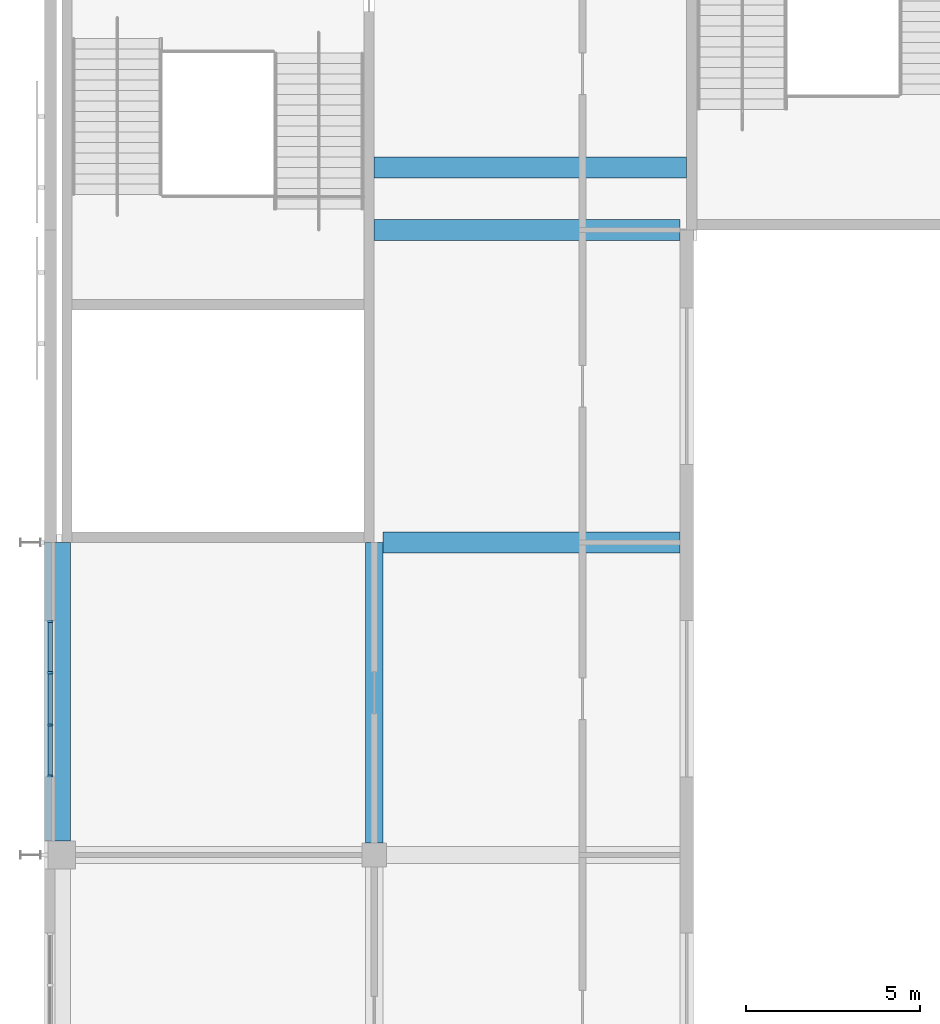
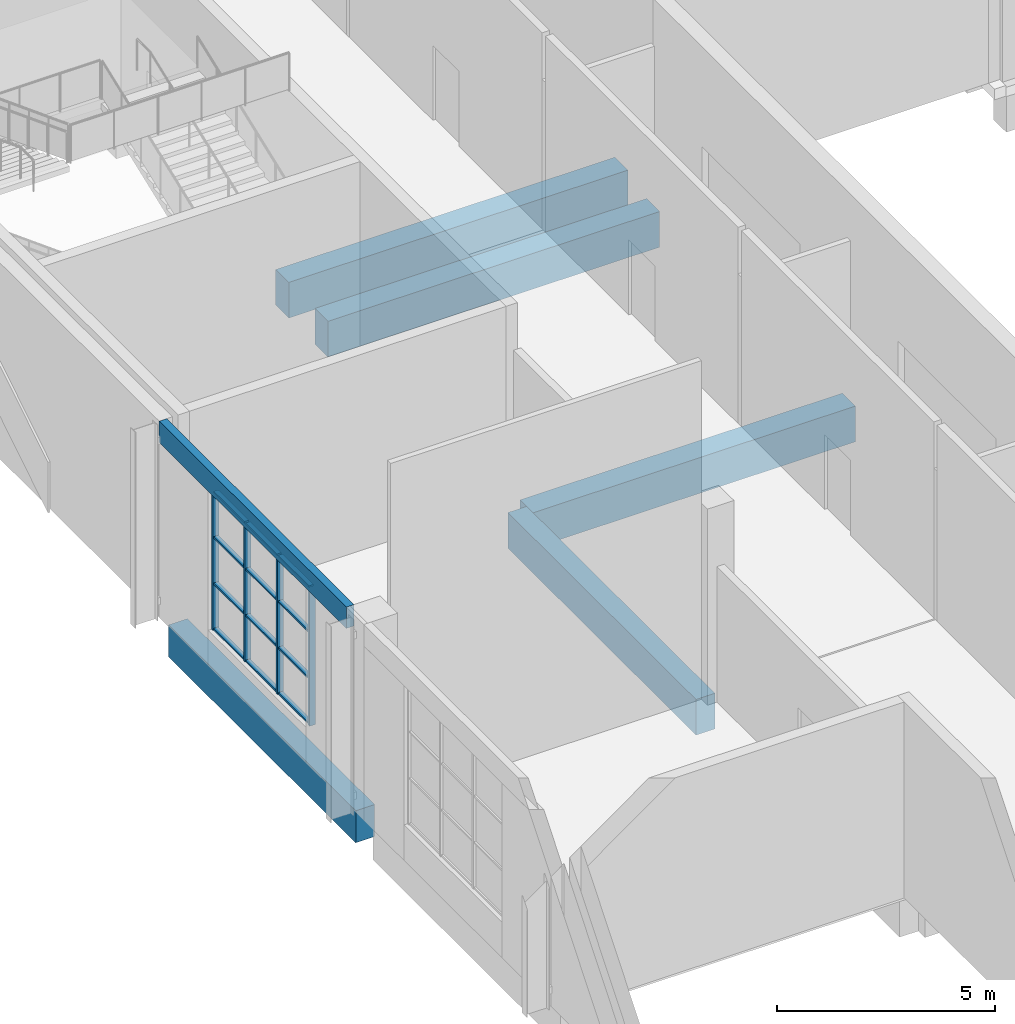
# One storey, part 11 of 84: 16 members, 6 beams, 1 element without a shape of its own.
"""IFC4 building model written with IfcOpenShell, lengths in metres."""

from ifc_helpers import new_model, si_unit, direction, frame, origin, origin_2d, place, context, subcontext, project, spatial, rectangle, extrude, material, material_profile, profile_set, type_object, element, aggregate, save


model = new_model("IFC4")

# Units and contexts
model_context = context("Model", 3, precision=1e-05, world=origin(), true_north=direction((0.0, 1.0)))
body_context = subcontext(model_context, "Body", "Model", "MODEL_VIEW")
ifc_project = project(units=[si_unit("LENGTHUNIT", "METRE"), si_unit("AREAUNIT", "SQUARE_METRE"), si_unit("VOLUMEUNIT", "CUBIC_METRE"), si_unit("PLANEANGLEUNIT", "RADIAN"), si_unit("MASSUNIT", "GRAM", prefix="KILO")], contexts=[model_context])

# Site, building, storey
site_placement = place(None, origin())
site = spatial("IfcSite", under=ifc_project, at=site_placement, CompositionType="ELEMENT")
building_placement = place(site_placement, origin())
building = spatial("IfcBuilding", under=site, at=building_placement, Name="Silverbay Arena", CompositionType="ELEMENT")
storey_placement = place(building_placement, frame((0.0, 0.0, 28.0)))
storey = spatial("IfcBuildingStorey", under=building, at=storey_placement, Name="L04", CompositionType="ELEMENT", Elevation=28.0)

# Curtain wall, members
ifc_material_1 = material(Name="Aluminium framed curtain wall", Category="aluminium")
curtain_wall_type = type_object("IfcCurtainWallType", Name="Curtain wall 4500 x 3900", PredefinedType="NOTDEFINED", material=ifc_material_1)
curtain_wall_placement = place(storey_placement, origin())
curtain_wall = element("IfcCurtainWall", 1, at=curtain_wall_placement, inside=storey, type_object=curtain_wall_type, Name="West curtain wall L04 bay 8", PredefinedType="NOTDEFINED")
ifc_material_2 = material(Name="Aluminium", Category="aluminium")
ifc_material_profile_1 = material_profile(ifc_material_2, rectangle(XDim=0.159912109375, YDim=0.06005859375, at=origin_2d()), Name="Mullion 60 x 160")
ifc_profile_set_1 = profile_set([ifc_material_profile_1], Name="Aluminium")
member_type_1 = type_object("IfcMemberType", Name="Mullion 60 x 160", PredefinedType="MULLION", material=ifc_profile_set_1)
member_1_placement = place(storey_placement, frame((53.669921875, 87.719970703125, 1.0), z_axis=(0.0, 0.0, 1.0), x_axis=(1.0, 0.0, 0.0)))
member_1 = element("IfcMember", 2, at=member_1_placement, type_object=member_type_1, Name="CW15 mullion 1", PredefinedType="MULLION", context=body_context, shape_type="SweptSolid", body=[
    extrude(rectangle(XDim=0.159912109375, YDim=0.06005859375, at=origin_2d()), origin(), (0.0, 0.0, 1.0), 3.89990234375),
])
member_2_placement = place(storey_placement, frame((53.669921875, 86.25, 1.0), z_axis=(0.0, 0.0, 1.0), x_axis=(1.0, 0.0, 0.0)))
member_2 = element("IfcMember", 3, at=member_2_placement, type_object=member_type_1, Name="CW15 mullion 2", PredefinedType="MULLION", context=body_context, shape_type="SweptSolid", body=[
    extrude(rectangle(XDim=0.159912109375, YDim=0.06005859375, at=origin_2d()), origin(), (0.0, 0.0, 1.0), 3.89990234375),
])
member_3_placement = place(storey_placement, frame((53.669921875, 84.75, 1.0), z_axis=(0.0, 0.0, 1.0), x_axis=(1.0, 0.0, 0.0)))
member_3 = element("IfcMember", 4, at=member_3_placement, type_object=member_type_1, Name="CW15 mullion 3", PredefinedType="MULLION", context=body_context, shape_type="SweptSolid", body=[
    extrude(rectangle(XDim=0.159912109375, YDim=0.06005859375, at=origin_2d()), origin(), (0.0, 0.0, 1.0), 3.89990234375),
])
member_4_placement = place(storey_placement, frame((53.669921875, 83.280029296875, 1.0), z_axis=(0.0, 0.0, 1.0), x_axis=(1.0, 0.0, 0.0)))
member_4 = element("IfcMember", 5, at=member_4_placement, type_object=member_type_1, Name="CW15 mullion 4", PredefinedType="MULLION", context=body_context, shape_type="SweptSolid", body=[
    extrude(rectangle(XDim=0.159912109375, YDim=0.06005859375, at=origin_2d()), origin(), (0.0, 0.0, 1.0), 3.89990234375),
])

# Beams
ifc_material_3 = material(Name="Concrete Grade C45", Category="concrete")
ifc_material_profile_2 = material_profile(ifc_material_3, rectangle(XDim=0.5, YDim=1.0, at=origin_2d()), Name="RC 500x1000")
ifc_profile_set_2 = profile_set([ifc_material_profile_2], Name="Concrete Grade C45")
beam_type_1 = type_object("IfcBeamType", Name="RC beam 500x1000", PredefinedType="BEAM", material=ifc_profile_set_2)
beam_1_placement = place(storey_placement, frame((63.0, 81.35009765625, -0.800048828125), z_axis=(0.0, 1.0, 0.0), x_axis=(-1.0, 0.0, 0.0)))
element("IfcBeam", 6, at=beam_1_placement, inside=storey, type_object=beam_type_1, Name="Floor beam L04 089", PredefinedType="BEAM", context=body_context, shape_type="SweptSolid", body=[
    extrude(rectangle(XDim=0.5, YDim=1.0, at=origin_2d()), origin(), (0.0, 0.0, 1.0), 8.64990234375),
])
ifc_material_4 = material(Name="Concrete Grade C45", Category="concrete")
ifc_material_profile_3 = material_profile(ifc_material_4, rectangle(XDim=0.5, YDim=0.89990234375, at=origin_2d()), Name="RC 500x900")
ifc_profile_set_3 = profile_set([ifc_material_profile_3], Name="Concrete Grade C45")
beam_type_2 = type_object("IfcBeamType", Name="RC beam 500x900", PredefinedType="BEAM", material=ifc_profile_set_3)
beam_2_placement = place(storey_placement, frame((54.0, 81.39990234375, -0.75), z_axis=(0.0, 1.0, 0.0), x_axis=(-1.0, 0.0, 0.0)))
element("IfcBeam", 7, at=beam_2_placement, inside=storey, type_object=beam_type_2, Name="Floor beam L04 081", PredefinedType="BEAM", context=body_context, shape_type="SweptSolid", body=[
    extrude(rectangle(XDim=0.5, YDim=0.89990234375, at=origin_2d()), origin(), (0.0, 0.0, 1.0), 8.60009765625),
])
ifc_material_5 = material(Name="Concrete Grade C45", Category="concrete")
ifc_material_profile_4 = material_profile(ifc_material_5, rectangle(XDim=0.60009765625, YDim=1.0, at=origin_2d()), Name="RC 600x1000")
ifc_profile_set_4 = profile_set([ifc_material_profile_4], Name="Concrete Grade C45")
beam_type_3 = type_object("IfcBeamType", Name="RC beam 600x1000", PredefinedType="BEAM", material=ifc_profile_set_4)
beam_3_placement = place(storey_placement, frame((63.25, 90.0, -0.800048828125), z_axis=(1.0, 0.0, 0.0), x_axis=(0.0, 1.0, 0.0)))
element("IfcBeam", 8, at=beam_3_placement, inside=storey, type_object=beam_type_3, Name="Floor beam L04 041", PredefinedType="BEAM", context=body_context, shape_type="SweptSolid", body=[
    extrude(rectangle(XDim=0.60009765625, YDim=1.0, at=origin_2d()), origin(), (0.0, 0.0, 1.0), 8.550048828125),
])
beam_4_placement = place(storey_placement, frame((63.0, 99.0, -0.800048828125), z_axis=(1.0, 0.0, 0.0), x_axis=(0.0, 1.0, 0.0)))
element("IfcBeam", 9, at=beam_4_placement, inside=storey, type_object=beam_type_3, Name="Floor beam L04 043", PredefinedType="BEAM", context=body_context, shape_type="SweptSolid", body=[
    extrude(rectangle(XDim=0.60009765625, YDim=1.0, at=origin_2d()), origin(), (0.0, 0.0, 1.0), 8.800048828125),
])
beam_5_placement = place(storey_placement, frame((63.0, 100.800048828125, -0.800048828125), z_axis=(1.0, 0.0, 0.0), x_axis=(0.0, 1.0, 0.0)))
element("IfcBeam", 10, at=beam_5_placement, inside=storey, type_object=beam_type_3, Name="Floor beam L04 047", PredefinedType="BEAM", context=body_context, shape_type="SweptSolid", body=[
    extrude(rectangle(XDim=0.60009765625, YDim=1.0, at=origin_2d()), origin(), (0.0, 0.0, 1.0), 9.0),
])
ifc_material_6 = material(Name="Concrete Grade C45", Category="concrete")
ifc_material_profile_5 = material_profile(ifc_material_6, rectangle(XDim=0.199951171875, YDim=0.60009765625, at=origin_2d()), Name="RC 200x600")
ifc_profile_set_5 = profile_set([ifc_material_profile_5], Name="Concrete Grade C45")
beam_type_4 = type_object("IfcBeamType", Name="RC facade beam 200x600", PredefinedType="SPANDREL", material=ifc_profile_set_5)
beam_6_placement = place(storey_placement, frame((53.60009765625, 81.39990234375, 5.199951171875), z_axis=(0.0, 1.0, 0.0), x_axis=(-1.0, 0.0, 0.0)))
element("IfcBeam", 11, at=beam_6_placement, inside=storey, type_object=beam_type_4, Name="Facade beam L04 west", PredefinedType="SPANDREL", context=body_context, shape_type="SweptSolid", body=[
    extrude(rectangle(XDim=0.199951171875, YDim=0.60009765625, at=origin_2d()), origin(), (0.0, 0.0, 1.0), 8.60009765625),
])

# Member
ifc_material_7 = material(Name="Aluminium", Category="aluminium")
ifc_material_profile_6 = material_profile(ifc_material_7, rectangle(XDim=0.1201171875, YDim=0.050048828125, at=origin_2d()), Name="Transom 50 x 120")
ifc_profile_set_6 = profile_set([ifc_material_profile_6], Name="Aluminium")
member_type_2 = type_object("IfcMemberType", Name="Transom 50 x 120", PredefinedType="USERDEFINED", material=ifc_profile_set_6)
member_5_placement = place(storey_placement, frame((53.669921875, 87.68994140625, 1.02490234375), z_axis=(0.0, -1.0, 0.0), x_axis=(1.0, 0.0, 0.0)))
member_5 = element("IfcMember", 12, at=member_5_placement, type_object=member_type_2, Name="CW15 transom 1.1", ObjectType="TRANSOM", PredefinedType="USERDEFINED", context=body_context, shape_type="SweptSolid", body=[
    extrude(rectangle(XDim=0.1201171875, YDim=0.050048828125, at=origin_2d()), origin(), (0.0, 0.0, 1.0), 1.409912109375),
])

member_6_placement = place(storey_placement, frame((53.669921875, 87.68994140625, 2.300048828125), z_axis=(0.0, -1.0, 0.0), x_axis=(1.0, 0.0, 0.0)))
member_6 = element("IfcMember", 13, at=member_6_placement, type_object=member_type_2, Name="CW15 transom 1.2", ObjectType="TRANSOM", PredefinedType="USERDEFINED", context=body_context, shape_type="SweptSolid", body=[
    extrude(rectangle(XDim=0.1201171875, YDim=0.050048828125, at=origin_2d()), origin(), (0.0, 0.0, 1.0), 1.409912109375),
])

member_7_placement = place(storey_placement, frame((53.669921875, 87.68994140625, 3.60009765625), z_axis=(0.0, -1.0, 0.0), x_axis=(1.0, 0.0, 0.0)))
member_7 = element("IfcMember", 14, at=member_7_placement, type_object=member_type_2, Name="CW15 transom 1.3", ObjectType="TRANSOM", PredefinedType="USERDEFINED", context=body_context, shape_type="SweptSolid", body=[
    extrude(rectangle(XDim=0.1201171875, YDim=0.050048828125, at=origin_2d()), origin(), (0.0, 0.0, 1.0), 1.409912109375),
])

member_8_placement = place(storey_placement, frame((53.669921875, 87.68994140625, 4.875), z_axis=(0.0, -1.0, 0.0), x_axis=(1.0, 0.0, 0.0)))
member_8 = element("IfcMember", 15, at=member_8_placement, type_object=member_type_2, Name="CW15 transom 1.4", ObjectType="TRANSOM", PredefinedType="USERDEFINED", context=body_context, shape_type="SweptSolid", body=[
    extrude(rectangle(XDim=0.1201171875, YDim=0.050048828125, at=origin_2d()), origin(), (0.0, 0.0, 1.0), 1.409912109375),
])

member_9_placement = place(storey_placement, frame((53.669921875, 86.219970703125, 1.02490234375), z_axis=(0.0, -1.0, 0.0), x_axis=(1.0, 0.0, 0.0)))
member_9 = element("IfcMember", 16, at=member_9_placement, type_object=member_type_2, Name="CW15 transom 2.1", ObjectType="TRANSOM", PredefinedType="USERDEFINED", context=body_context, shape_type="SweptSolid", body=[
    extrude(rectangle(XDim=0.1201171875, YDim=0.050048828125, at=origin_2d()), origin(), (0.0, 0.0, 1.0), 1.43994140625),
])

member_10_placement = place(storey_placement, frame((53.669921875, 86.219970703125, 2.300048828125), z_axis=(0.0, -1.0, 0.0), x_axis=(1.0, 0.0, 0.0)))
member_10 = element("IfcMember", 17, at=member_10_placement, type_object=member_type_2, Name="CW15 transom 2.2", ObjectType="TRANSOM", PredefinedType="USERDEFINED", context=body_context, shape_type="SweptSolid", body=[
    extrude(rectangle(XDim=0.1201171875, YDim=0.050048828125, at=origin_2d()), origin(), (0.0, 0.0, 1.0), 1.43994140625),
])

member_11_placement = place(storey_placement, frame((53.669921875, 86.219970703125, 3.60009765625), z_axis=(0.0, -1.0, 0.0), x_axis=(1.0, 0.0, 0.0)))
member_11 = element("IfcMember", 18, at=member_11_placement, type_object=member_type_2, Name="CW15 transom 2.3", ObjectType="TRANSOM", PredefinedType="USERDEFINED", context=body_context, shape_type="SweptSolid", body=[
    extrude(rectangle(XDim=0.1201171875, YDim=0.050048828125, at=origin_2d()), origin(), (0.0, 0.0, 1.0), 1.43994140625),
])

member_12_placement = place(storey_placement, frame((53.669921875, 86.219970703125, 4.875), z_axis=(0.0, -1.0, 0.0), x_axis=(1.0, 0.0, 0.0)))
member_12 = element("IfcMember", 19, at=member_12_placement, type_object=member_type_2, Name="CW15 transom 2.4", ObjectType="TRANSOM", PredefinedType="USERDEFINED", context=body_context, shape_type="SweptSolid", body=[
    extrude(rectangle(XDim=0.1201171875, YDim=0.050048828125, at=origin_2d()), origin(), (0.0, 0.0, 1.0), 1.43994140625),
])

member_13_placement = place(storey_placement, frame((53.669921875, 84.719970703125, 1.02490234375), z_axis=(0.0, -1.0, 0.0), x_axis=(1.0, 0.0, 0.0)))
member_13 = element("IfcMember", 20, at=member_13_placement, type_object=member_type_2, Name="CW15 transom 3.1", ObjectType="TRANSOM", PredefinedType="USERDEFINED", context=body_context, shape_type="SweptSolid", body=[
    extrude(rectangle(XDim=0.1201171875, YDim=0.050048828125, at=origin_2d()), origin(), (0.0, 0.0, 1.0), 1.409912109375),
])

member_14_placement = place(storey_placement, frame((53.669921875, 84.719970703125, 2.300048828125), z_axis=(0.0, -1.0, 0.0), x_axis=(1.0, 0.0, 0.0)))
member_14 = element("IfcMember", 21, at=member_14_placement, type_object=member_type_2, Name="CW15 transom 3.2", ObjectType="TRANSOM", PredefinedType="USERDEFINED", context=body_context, shape_type="SweptSolid", body=[
    extrude(rectangle(XDim=0.1201171875, YDim=0.050048828125, at=origin_2d()), origin(), (0.0, 0.0, 1.0), 1.409912109375),
])

member_15_placement = place(storey_placement, frame((53.669921875, 84.719970703125, 3.60009765625), z_axis=(0.0, -1.0, 0.0), x_axis=(1.0, 0.0, 0.0)))
member_15 = element("IfcMember", 22, at=member_15_placement, type_object=member_type_2, Name="CW15 transom 3.3", ObjectType="TRANSOM", PredefinedType="USERDEFINED", context=body_context, shape_type="SweptSolid", body=[
    extrude(rectangle(XDim=0.1201171875, YDim=0.050048828125, at=origin_2d()), origin(), (0.0, 0.0, 1.0), 1.409912109375),
])

member_16_placement = place(storey_placement, frame((53.669921875, 84.719970703125, 4.875), z_axis=(0.0, -1.0, 0.0), x_axis=(1.0, 0.0, 0.0)))
member_16 = element("IfcMember", 23, at=member_16_placement, type_object=member_type_2, Name="CW15 transom 3.4", ObjectType="TRANSOM", PredefinedType="USERDEFINED", context=body_context, shape_type="SweptSolid", body=[
    extrude(rectangle(XDim=0.1201171875, YDim=0.050048828125, at=origin_2d()), origin(), (0.0, 0.0, 1.0), 1.409912109375),
])

aggregate(curtain_wall, [member_1, member_2, member_3, member_4, member_5, member_6, member_7, member_8, member_9, member_10, member_11, member_12, member_13, member_14, member_15, member_16])

save(model, "model.ifc")
